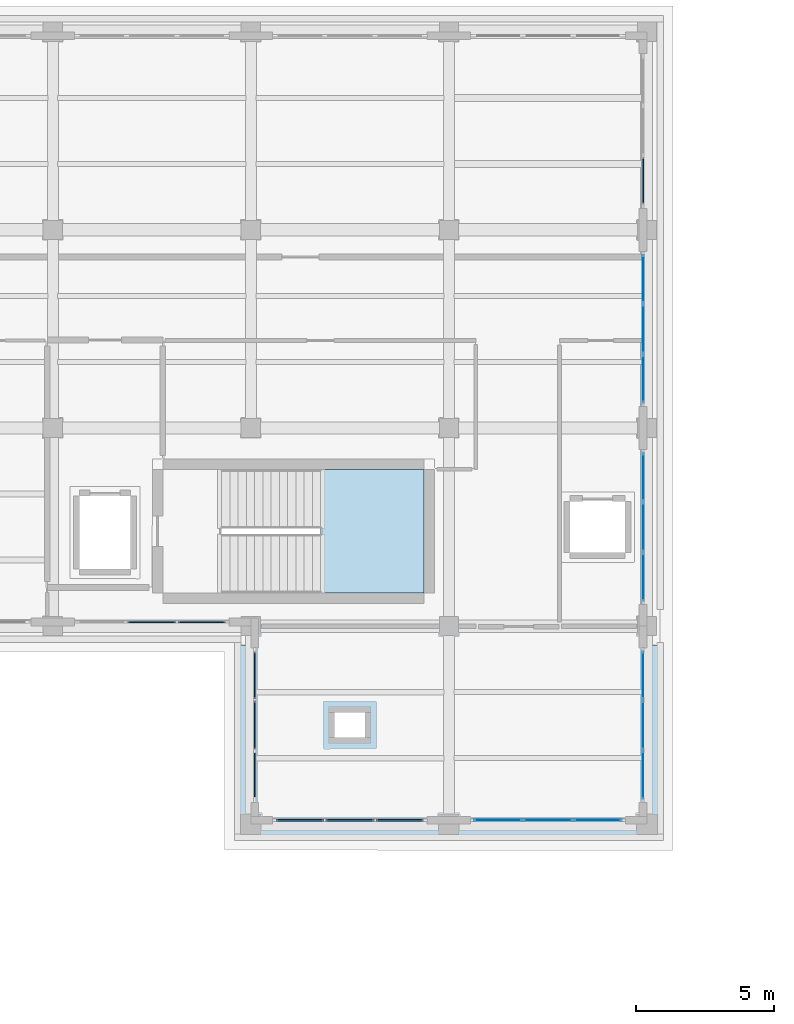
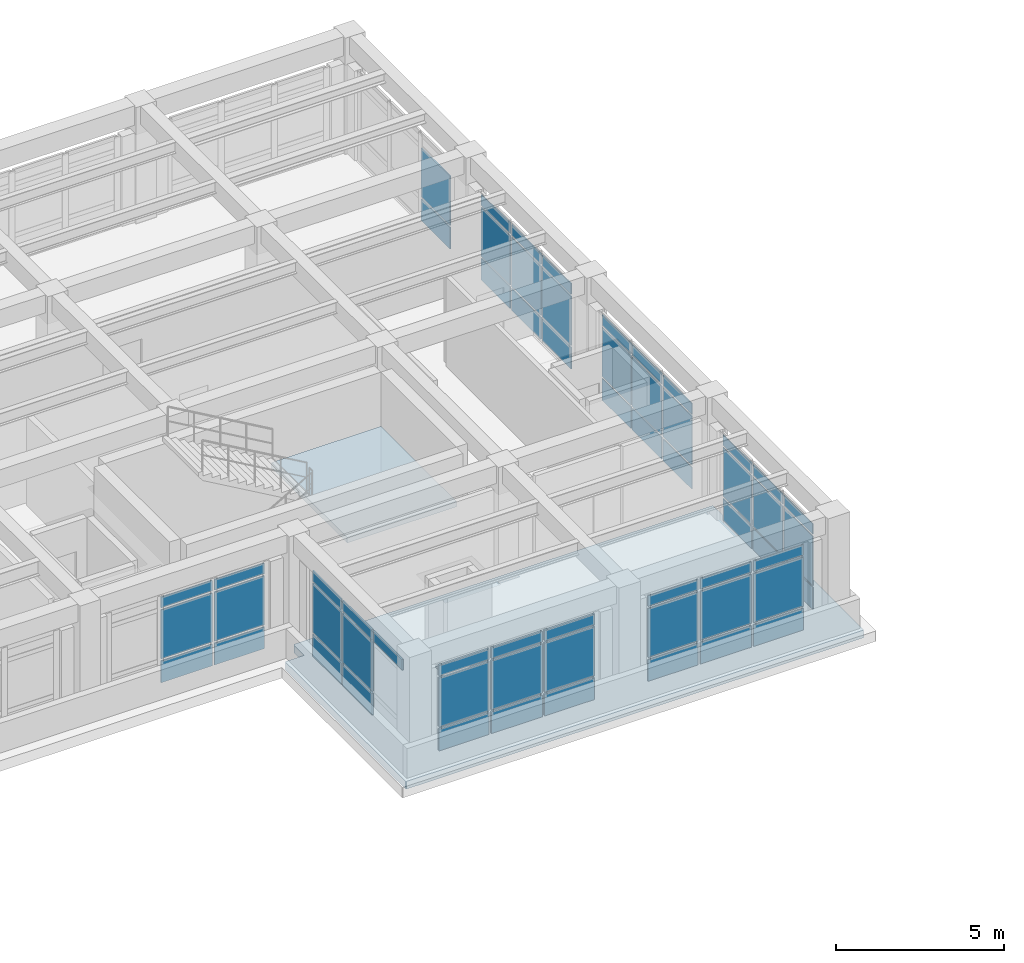
# One storey, part 43 of 64: 60 plates, 2 slabs, 9 elements without a shape of their own.
"""IFC4 building model written with IfcOpenShell, lengths in metres."""

from ifc_helpers import new_model, si_unit, direction, frame, origin, origin_2d, place, context, subcontext, project, spatial, polyline, rectangle, outline, extrude, material, layer, layer_set, type_object, element, aggregate, save


model = new_model("IFC4")

# Units and contexts
model_context = context("Model", 3, precision=1e-05, world=origin(), true_north=direction((0.0, 1.0)))
body_context = subcontext(model_context, "Body", "Model", "MODEL_VIEW")
ifc_project = project(units=[si_unit("LENGTHUNIT", "METRE"), si_unit("AREAUNIT", "SQUARE_METRE"), si_unit("VOLUMEUNIT", "CUBIC_METRE"), si_unit("PLANEANGLEUNIT", "RADIAN"), si_unit("MASSUNIT", "GRAM", prefix="KILO")], contexts=[model_context])

# Site, building, storey
site_placement = place(None, origin())
site = spatial("IfcSite", under=ifc_project, at=site_placement, CompositionType="ELEMENT")
building_placement = place(site_placement, origin())
building = spatial("IfcBuilding", under=site, at=building_placement, Name="Solenvale Faculty of Natural Sciences", CompositionType="ELEMENT")
storey_placement = place(building_placement, frame((0.0, 0.0, 18.0)))
storey = spatial("IfcBuildingStorey", under=building, at=storey_placement, Name="L04", CompositionType="ELEMENT", Elevation=18.0)

# Curtain wall, plates
ifc_material_1 = material(Name="Anodised bronze aluminium", Category="aluminium")
ifc_layer_1 = layer(ifc_material_1, 0.179931640625)
ifc_layer_set_1 = layer_set([ifc_layer_1], Name="Anodised bronze aluminium")
curtain_wall_type = type_object("IfcCurtainWallType", Name="CW-TWR-MOD", PredefinedType="USERDEFINED", material=ifc_layer_set_1)
curtain_wall_1_placement = place(storey_placement, origin())
curtain_wall_1 = element("IfcCurtainWall", 1, at=curtain_wall_1_placement, inside=storey, type_object=curtain_wall_type, Name="L04 Curtain Wall CW-L04-P3-E1-B2", ObjectType="UNITISED CURTAIN WALL", PredefinedType="USERDEFINED")
ifc_material_2 = material(Name="North-light skylight glass", Category="glass")
ifc_layer_2 = layer(ifc_material_2, 0.028076171875)
ifc_layer_set_2 = layer_set([ifc_layer_2], Name="North-light skylight glass")
plate_type_1 = type_object("IfcPlateType", Name="CWP-PNL-28", PredefinedType="CURTAIN_PANEL", material=ifc_layer_set_2)
plate_1_placement = place(storey_placement, frame((145.785400390625, 86.54248046875, 0.074951171875), z_axis=(0.0, 0.0, 1.0), x_axis=(1.0, 0.0, 0.0)))
plate_1 = element("IfcPlate", 2, at=plate_1_placement, type_object=plate_type_1, Name="CW-04 panel 1.1", PredefinedType="CURTAIN_PANEL", context=body_context, shape_type="SweptSolid", body=[
    extrude(rectangle(XDim=1.720947265625, YDim=0.028076171875, at=origin_2d()), origin(), (0.0, 0.0, 1.0), 0.78759765625),
])
plate_2_placement = place(storey_placement, frame((145.785400390625, 86.54248046875, 0.9375), z_axis=(0.0, 0.0, 1.0), x_axis=(1.0, 0.0, 0.0)))
plate_2 = element("IfcPlate", 3, at=plate_2_placement, type_object=plate_type_1, Name="CW-04 panel 1.2", PredefinedType="CURTAIN_PANEL", context=body_context, shape_type="SweptSolid", body=[
    extrude(rectangle(XDim=1.720947265625, YDim=0.028076171875, at=origin_2d()), origin(), (0.0, 0.0, 1.0), 1.784912109375),
])
plate_3_placement = place(storey_placement, frame((145.785400390625, 86.54248046875, 2.79736328125), z_axis=(0.0, 0.0, 1.0), x_axis=(1.0, 0.0, 0.0)))
plate_3 = element("IfcPlate", 4, at=plate_3_placement, type_object=plate_type_1, Name="CW-04 panel 1.3", PredefinedType="CURTAIN_PANEL", context=body_context, shape_type="SweptSolid", body=[
    extrude(rectangle(XDim=1.720947265625, YDim=0.028076171875, at=origin_2d()), origin(), (0.0, 0.0, 1.0), 0.387451171875),
])
plate_4_placement = place(storey_placement, frame((147.60009765625, 86.54248046875, 0.074951171875), z_axis=(0.0, 0.0, 1.0), x_axis=(1.0, 0.0, 0.0)))
plate_4 = element("IfcPlate", 5, at=plate_4_placement, type_object=plate_type_1, Name="CW-04 panel 2.1", PredefinedType="CURTAIN_PANEL", context=body_context, shape_type="SweptSolid", body=[
    extrude(rectangle(XDim=1.75830078125, YDim=0.028076171875, at=origin_2d()), origin(), (0.0, 0.0, 1.0), 0.78759765625),
])
plate_5_placement = place(storey_placement, frame((147.60009765625, 86.54248046875, 0.9375), z_axis=(0.0, 0.0, 1.0), x_axis=(1.0, 0.0, 0.0)))
plate_5 = element("IfcPlate", 6, at=plate_5_placement, type_object=plate_type_1, Name="CW-04 panel 2.2", PredefinedType="CURTAIN_PANEL", context=body_context, shape_type="SweptSolid", body=[
    extrude(rectangle(XDim=1.75830078125, YDim=0.028076171875, at=origin_2d()), origin(), (0.0, 0.0, 1.0), 1.784912109375),
])
plate_6_placement = place(storey_placement, frame((147.60009765625, 86.54248046875, 2.79736328125), z_axis=(0.0, 0.0, 1.0), x_axis=(1.0, 0.0, 0.0)))
plate_6 = element("IfcPlate", 7, at=plate_6_placement, type_object=plate_type_1, Name="CW-04 panel 2.3", PredefinedType="CURTAIN_PANEL", context=body_context, shape_type="SweptSolid", body=[
    extrude(rectangle(XDim=1.75830078125, YDim=0.028076171875, at=origin_2d()), origin(), (0.0, 0.0, 1.0), 0.387451171875),
])
plate_7_placement = place(storey_placement, frame((149.41455078125, 86.54248046875, 0.074951171875), z_axis=(0.0, 0.0, 1.0), x_axis=(1.0, 0.0, 0.0)))
plate_7 = element("IfcPlate", 8, at=plate_7_placement, type_object=plate_type_1, Name="CW-04 panel 3.1", PredefinedType="CURTAIN_PANEL", context=body_context, shape_type="SweptSolid", body=[
    extrude(rectangle(XDim=1.720947265625, YDim=0.028076171875, at=origin_2d()), origin(), (0.0, 0.0, 1.0), 0.78759765625),
])
plate_8_placement = place(storey_placement, frame((149.41455078125, 86.54248046875, 0.9375), z_axis=(0.0, 0.0, 1.0), x_axis=(1.0, 0.0, 0.0)))
plate_8 = element("IfcPlate", 9, at=plate_8_placement, type_object=plate_type_1, Name="CW-04 panel 3.2", PredefinedType="CURTAIN_PANEL", context=body_context, shape_type="SweptSolid", body=[
    extrude(rectangle(XDim=1.720947265625, YDim=0.028076171875, at=origin_2d()), origin(), (0.0, 0.0, 1.0), 1.784912109375),
])
plate_9_placement = place(storey_placement, frame((149.41455078125, 86.54248046875, 2.79736328125), z_axis=(0.0, 0.0, 1.0), x_axis=(1.0, 0.0, 0.0)))
plate_9 = element("IfcPlate", 10, at=plate_9_placement, type_object=plate_type_1, Name="CW-04 panel 3.3", PredefinedType="CURTAIN_PANEL", context=body_context, shape_type="SweptSolid", body=[
    extrude(rectangle(XDim=1.720947265625, YDim=0.028076171875, at=origin_2d()), origin(), (0.0, 0.0, 1.0), 0.387451171875),
])
aggregate(curtain_wall_1, [plate_1, plate_2, plate_3, plate_4, plate_5, plate_6, plate_7, plate_8, plate_9])

curtain_wall_2_placement = place(storey_placement, origin())
curtain_wall_2 = element("IfcCurtainWall", 11, at=curtain_wall_2_placement, inside=storey, type_object=curtain_wall_type, Name="L04 Curtain Wall CW-L04-P3-E2-B1", ObjectType="UNITISED CURTAIN WALL", PredefinedType="USERDEFINED")
plate_10_placement = place(storey_placement, frame((151.0576171875, 88.185302734375, 0.074951171875), z_axis=(0.0, 0.0, 1.0), x_axis=(0.0, 1.0, 0.0)))
plate_10 = element("IfcPlate", 12, at=plate_10_placement, type_object=plate_type_1, Name="CW-04 panel 1.1", PredefinedType="CURTAIN_PANEL", context=body_context, shape_type="SweptSolid", body=[
    extrude(rectangle(XDim=1.720947265625, YDim=0.028076171875, at=origin_2d()), origin(), (0.0, 0.0, 1.0), 0.78759765625),
])
plate_11_placement = place(storey_placement, frame((151.0576171875, 88.185302734375, 0.9375), z_axis=(0.0, 0.0, 1.0), x_axis=(0.0, 1.0, 0.0)))
plate_11 = element("IfcPlate", 13, at=plate_11_placement, type_object=plate_type_1, Name="CW-04 panel 1.2", PredefinedType="CURTAIN_PANEL", context=body_context, shape_type="SweptSolid", body=[
    extrude(rectangle(XDim=1.720947265625, YDim=0.028076171875, at=origin_2d()), origin(), (0.0, 0.0, 1.0), 1.784912109375),
])
plate_12_placement = place(storey_placement, frame((151.0576171875, 88.185302734375, 2.79736328125), z_axis=(0.0, 0.0, 1.0), x_axis=(0.0, 1.0, 0.0)))
plate_12 = element("IfcPlate", 14, at=plate_12_placement, type_object=plate_type_1, Name="CW-04 panel 1.3", PredefinedType="CURTAIN_PANEL", context=body_context, shape_type="SweptSolid", body=[
    extrude(rectangle(XDim=1.720947265625, YDim=0.028076171875, at=origin_2d()), origin(), (0.0, 0.0, 1.0), 0.387451171875),
])
plate_13_placement = place(storey_placement, frame((151.0576171875, 90.0, 0.074951171875), z_axis=(0.0, 0.0, 1.0), x_axis=(0.0, 1.0, 0.0)))
plate_13 = element("IfcPlate", 15, at=plate_13_placement, type_object=plate_type_1, Name="CW-04 panel 2.1", PredefinedType="CURTAIN_PANEL", context=body_context, shape_type="SweptSolid", body=[
    extrude(rectangle(XDim=1.75830078125, YDim=0.028076171875, at=origin_2d()), origin(), (0.0, 0.0, 1.0), 0.78759765625),
])
plate_14_placement = place(storey_placement, frame((151.0576171875, 90.0, 0.9375), z_axis=(0.0, 0.0, 1.0), x_axis=(0.0, 1.0, 0.0)))
plate_14 = element("IfcPlate", 16, at=plate_14_placement, type_object=plate_type_1, Name="CW-04 panel 2.2", PredefinedType="CURTAIN_PANEL", context=body_context, shape_type="SweptSolid", body=[
    extrude(rectangle(XDim=1.75830078125, YDim=0.028076171875, at=origin_2d()), origin(), (0.0, 0.0, 1.0), 1.784912109375),
])
plate_15_placement = place(storey_placement, frame((151.0576171875, 90.0, 2.79736328125), z_axis=(0.0, 0.0, 1.0), x_axis=(0.0, 1.0, 0.0)))
plate_15 = element("IfcPlate", 17, at=plate_15_placement, type_object=plate_type_1, Name="CW-04 panel 2.3", PredefinedType="CURTAIN_PANEL", context=body_context, shape_type="SweptSolid", body=[
    extrude(rectangle(XDim=1.75830078125, YDim=0.028076171875, at=origin_2d()), origin(), (0.0, 0.0, 1.0), 0.387451171875),
])
plate_16_placement = place(storey_placement, frame((151.0576171875, 91.814697265625, 0.074951171875), z_axis=(0.0, 0.0, 1.0), x_axis=(0.0, 1.0, 0.0)))
plate_16 = element("IfcPlate", 18, at=plate_16_placement, type_object=plate_type_1, Name="CW-04 panel 3.1", PredefinedType="CURTAIN_PANEL", context=body_context, shape_type="SweptSolid", body=[
    extrude(rectangle(XDim=1.720947265625, YDim=0.028076171875, at=origin_2d()), origin(), (0.0, 0.0, 1.0), 0.78759765625),
])
plate_17_placement = place(storey_placement, frame((151.0576171875, 91.814697265625, 0.9375), z_axis=(0.0, 0.0, 1.0), x_axis=(0.0, 1.0, 0.0)))
plate_17 = element("IfcPlate", 19, at=plate_17_placement, type_object=plate_type_1, Name="CW-04 panel 3.2", PredefinedType="CURTAIN_PANEL", context=body_context, shape_type="SweptSolid", body=[
    extrude(rectangle(XDim=1.720947265625, YDim=0.028076171875, at=origin_2d()), origin(), (0.0, 0.0, 1.0), 1.784912109375),
])
plate_18_placement = place(storey_placement, frame((151.0576171875, 91.814697265625, 2.79736328125), z_axis=(0.0, 0.0, 1.0), x_axis=(0.0, 1.0, 0.0)))
plate_18 = element("IfcPlate", 20, at=plate_18_placement, type_object=plate_type_1, Name="CW-04 panel 3.3", PredefinedType="CURTAIN_PANEL", context=body_context, shape_type="SweptSolid", body=[
    extrude(rectangle(XDim=1.720947265625, YDim=0.028076171875, at=origin_2d()), origin(), (0.0, 0.0, 1.0), 0.387451171875),
])
aggregate(curtain_wall_2, [plate_10, plate_11, plate_12, plate_13, plate_14, plate_15, plate_16, plate_17, plate_18])

curtain_wall_3_placement = place(storey_placement, origin())
curtain_wall_3 = element("IfcCurtainWall", 21, at=curtain_wall_3_placement, inside=storey, type_object=curtain_wall_type, Name="L04 Curtain Wall CW-L04-P3-E3-B1", ObjectType="UNITISED CURTAIN WALL", PredefinedType="USERDEFINED")
ifc_material_3 = material(Name="Triple low-E insulated glass", Category="glass")
ifc_layer_3 = layer(ifc_material_3, 0.031982421875)
ifc_layer_set_3 = layer_set([ifc_layer_3], Name="Triple low-E insulated glass")
plate_type_2 = type_object("IfcPlateType", Name="CWP-PNL-32", PredefinedType="CURTAIN_PANEL", material=ifc_layer_set_3)
plate_19_placement = place(storey_placement, frame((151.0576171875, 95.385498046875, 0.074951171875), z_axis=(0.0, 0.0, 1.0), x_axis=(0.0, 1.0, 0.0)))
plate_19 = element("IfcPlate", 22, at=plate_19_placement, type_object=plate_type_2, Name="CW-04 panel 1.1", PredefinedType="CURTAIN_PANEL", context=body_context, shape_type="SweptSolid", body=[
    extrude(rectangle(XDim=1.720947265625, YDim=0.031982421875, at=origin_2d()), origin(), (0.0, 0.0, 1.0), 0.78759765625),
])
plate_20_placement = place(storey_placement, frame((151.0576171875, 95.385498046875, 0.9375), z_axis=(0.0, 0.0, 1.0), x_axis=(0.0, 1.0, 0.0)))
plate_20 = element("IfcPlate", 23, at=plate_20_placement, type_object=plate_type_2, Name="CW-04 panel 1.2", PredefinedType="CURTAIN_PANEL", context=body_context, shape_type="SweptSolid", body=[
    extrude(rectangle(XDim=1.720947265625, YDim=0.031982421875, at=origin_2d()), origin(), (0.0, 0.0, 1.0), 1.784912109375),
])
plate_21_placement = place(storey_placement, frame((151.0576171875, 95.385498046875, 2.79736328125), z_axis=(0.0, 0.0, 1.0), x_axis=(0.0, 1.0, 0.0)))
plate_21 = element("IfcPlate", 24, at=plate_21_placement, type_object=plate_type_2, Name="CW-04 panel 1.3", PredefinedType="CURTAIN_PANEL", context=body_context, shape_type="SweptSolid", body=[
    extrude(rectangle(XDim=1.720947265625, YDim=0.031982421875, at=origin_2d()), origin(), (0.0, 0.0, 1.0), 0.387451171875),
])
plate_22_placement = place(storey_placement, frame((151.0576171875, 97.199951171875, 0.074951171875), z_axis=(0.0, 0.0, 1.0), x_axis=(0.0, 1.0, 0.0)))
plate_22 = element("IfcPlate", 25, at=plate_22_placement, type_object=plate_type_2, Name="CW-04 panel 2.1", PredefinedType="CURTAIN_PANEL", context=body_context, shape_type="SweptSolid", body=[
    extrude(rectangle(XDim=1.75830078125, YDim=0.031982421875, at=origin_2d()), origin(), (0.0, 0.0, 1.0), 0.78759765625),
])
plate_23_placement = place(storey_placement, frame((151.0576171875, 97.199951171875, 0.9375), z_axis=(0.0, 0.0, 1.0), x_axis=(0.0, 1.0, 0.0)))
plate_23 = element("IfcPlate", 26, at=plate_23_placement, type_object=plate_type_2, Name="CW-04 panel 2.2", PredefinedType="CURTAIN_PANEL", context=body_context, shape_type="SweptSolid", body=[
    extrude(rectangle(XDim=1.75830078125, YDim=0.031982421875, at=origin_2d()), origin(), (0.0, 0.0, 1.0), 1.784912109375),
])
plate_24_placement = place(storey_placement, frame((151.0576171875, 97.199951171875, 2.79736328125), z_axis=(0.0, 0.0, 1.0), x_axis=(0.0, 1.0, 0.0)))
plate_24 = element("IfcPlate", 27, at=plate_24_placement, type_object=plate_type_2, Name="CW-04 panel 2.3", PredefinedType="CURTAIN_PANEL", context=body_context, shape_type="SweptSolid", body=[
    extrude(rectangle(XDim=1.75830078125, YDim=0.031982421875, at=origin_2d()), origin(), (0.0, 0.0, 1.0), 0.387451171875),
])
plate_25_placement = place(storey_placement, frame((151.0576171875, 99.0146484375, 0.074951171875), z_axis=(0.0, 0.0, 1.0), x_axis=(0.0, 1.0, 0.0)))
plate_25 = element("IfcPlate", 28, at=plate_25_placement, type_object=plate_type_2, Name="CW-04 panel 3.1", PredefinedType="CURTAIN_PANEL", context=body_context, shape_type="SweptSolid", body=[
    extrude(rectangle(XDim=1.720947265625, YDim=0.031982421875, at=origin_2d()), origin(), (0.0, 0.0, 1.0), 0.78759765625),
])
plate_26_placement = place(storey_placement, frame((151.0576171875, 99.0146484375, 0.9375), z_axis=(0.0, 0.0, 1.0), x_axis=(0.0, 1.0, 0.0)))
plate_26 = element("IfcPlate", 29, at=plate_26_placement, type_object=plate_type_2, Name="CW-04 panel 3.2", PredefinedType="CURTAIN_PANEL", context=body_context, shape_type="SweptSolid", body=[
    extrude(rectangle(XDim=1.720947265625, YDim=0.031982421875, at=origin_2d()), origin(), (0.0, 0.0, 1.0), 1.784912109375),
])
plate_27_placement = place(storey_placement, frame((151.0576171875, 99.0146484375, 2.79736328125), z_axis=(0.0, 0.0, 1.0), x_axis=(0.0, 1.0, 0.0)))
plate_27 = element("IfcPlate", 30, at=plate_27_placement, type_object=plate_type_2, Name="CW-04 panel 3.3", PredefinedType="CURTAIN_PANEL", context=body_context, shape_type="SweptSolid", body=[
    extrude(rectangle(XDim=1.720947265625, YDim=0.031982421875, at=origin_2d()), origin(), (0.0, 0.0, 1.0), 0.387451171875),
])
aggregate(curtain_wall_3, [plate_19, plate_20, plate_21, plate_22, plate_23, plate_24, plate_25, plate_26, plate_27])

curtain_wall_4_placement = place(storey_placement, origin())
curtain_wall_4 = element("IfcCurtainWall", 31, at=curtain_wall_4_placement, inside=storey, type_object=curtain_wall_type, Name="L04 Curtain Wall CW-L04-P3-E3-B2", ObjectType="UNITISED CURTAIN WALL", PredefinedType="USERDEFINED")
ifc_layer_4 = layer(ifc_material_3, 0.035888671875)
ifc_layer_set_4 = layer_set([ifc_layer_4], Name="Triple low-E insulated glass")
plate_type_3 = type_object("IfcPlateType", Name="CWP-PNL-36", PredefinedType="CURTAIN_PANEL", material=ifc_layer_set_4)
plate_28_placement = place(storey_placement, frame((151.0576171875, 102.58544921875, 0.074951171875), z_axis=(0.0, 0.0, 1.0), x_axis=(0.0, 1.0, 0.0)))
plate_28 = element("IfcPlate", 32, at=plate_28_placement, type_object=plate_type_3, Name="CW-04 panel 1.1", PredefinedType="CURTAIN_PANEL", context=body_context, shape_type="SweptSolid", body=[
    extrude(rectangle(XDim=1.720947265625, YDim=0.035888671875, at=origin_2d()), origin(), (0.0, 0.0, 1.0), 0.78759765625),
])
plate_29_placement = place(storey_placement, frame((151.0576171875, 102.58544921875, 0.9375), z_axis=(0.0, 0.0, 1.0), x_axis=(0.0, 1.0, 0.0)))
plate_29 = element("IfcPlate", 33, at=plate_29_placement, type_object=plate_type_3, Name="CW-04 panel 1.2", PredefinedType="CURTAIN_PANEL", context=body_context, shape_type="SweptSolid", body=[
    extrude(rectangle(XDim=1.720947265625, YDim=0.035888671875, at=origin_2d()), origin(), (0.0, 0.0, 1.0), 1.784912109375),
])
plate_30_placement = place(storey_placement, frame((151.0576171875, 102.58544921875, 2.79736328125), z_axis=(0.0, 0.0, 1.0), x_axis=(0.0, 1.0, 0.0)))
plate_30 = element("IfcPlate", 34, at=plate_30_placement, type_object=plate_type_3, Name="CW-04 panel 1.3", PredefinedType="CURTAIN_PANEL", context=body_context, shape_type="SweptSolid", body=[
    extrude(rectangle(XDim=1.720947265625, YDim=0.035888671875, at=origin_2d()), origin(), (0.0, 0.0, 1.0), 0.387451171875),
])
plate_31_placement = place(storey_placement, frame((151.0576171875, 104.39990234375, 0.074951171875), z_axis=(0.0, 0.0, 1.0), x_axis=(0.0, 1.0, 0.0)))
plate_31 = element("IfcPlate", 35, at=plate_31_placement, type_object=plate_type_3, Name="CW-04 panel 2.1", PredefinedType="CURTAIN_PANEL", context=body_context, shape_type="SweptSolid", body=[
    extrude(rectangle(XDim=1.75830078125, YDim=0.035888671875, at=origin_2d()), origin(), (0.0, 0.0, 1.0), 0.78759765625),
])
plate_32_placement = place(storey_placement, frame((151.0576171875, 104.39990234375, 0.9375), z_axis=(0.0, 0.0, 1.0), x_axis=(0.0, 1.0, 0.0)))
plate_32 = element("IfcPlate", 36, at=plate_32_placement, type_object=plate_type_3, Name="CW-04 panel 2.2", PredefinedType="CURTAIN_PANEL", context=body_context, shape_type="SweptSolid", body=[
    extrude(rectangle(XDim=1.75830078125, YDim=0.035888671875, at=origin_2d()), origin(), (0.0, 0.0, 1.0), 1.784912109375),
])
plate_33_placement = place(storey_placement, frame((151.0576171875, 104.39990234375, 2.79736328125), z_axis=(0.0, 0.0, 1.0), x_axis=(0.0, 1.0, 0.0)))
plate_33 = element("IfcPlate", 37, at=plate_33_placement, type_object=plate_type_3, Name="CW-04 panel 2.3", PredefinedType="CURTAIN_PANEL", context=body_context, shape_type="SweptSolid", body=[
    extrude(rectangle(XDim=1.75830078125, YDim=0.035888671875, at=origin_2d()), origin(), (0.0, 0.0, 1.0), 0.387451171875),
])
plate_34_placement = place(storey_placement, frame((151.0576171875, 106.214599609375, 0.074951171875), z_axis=(0.0, 0.0, 1.0), x_axis=(0.0, 1.0, 0.0)))
plate_34 = element("IfcPlate", 38, at=plate_34_placement, type_object=plate_type_3, Name="CW-04 panel 3.1", PredefinedType="CURTAIN_PANEL", context=body_context, shape_type="SweptSolid", body=[
    extrude(rectangle(XDim=1.720947265625, YDim=0.035888671875, at=origin_2d()), origin(), (0.0, 0.0, 1.0), 0.78759765625),
])
plate_35_placement = place(storey_placement, frame((151.0576171875, 106.214599609375, 0.9375), z_axis=(0.0, 0.0, 1.0), x_axis=(0.0, 1.0, 0.0)))
plate_35 = element("IfcPlate", 39, at=plate_35_placement, type_object=plate_type_3, Name="CW-04 panel 3.2", PredefinedType="CURTAIN_PANEL", context=body_context, shape_type="SweptSolid", body=[
    extrude(rectangle(XDim=1.720947265625, YDim=0.035888671875, at=origin_2d()), origin(), (0.0, 0.0, 1.0), 1.784912109375),
])
plate_36_placement = place(storey_placement, frame((151.0576171875, 106.214599609375, 2.79736328125), z_axis=(0.0, 0.0, 1.0), x_axis=(0.0, 1.0, 0.0)))
plate_36 = element("IfcPlate", 40, at=plate_36_placement, type_object=plate_type_3, Name="CW-04 panel 3.3", PredefinedType="CURTAIN_PANEL", context=body_context, shape_type="SweptSolid", body=[
    extrude(rectangle(XDim=1.720947265625, YDim=0.035888671875, at=origin_2d()), origin(), (0.0, 0.0, 1.0), 0.387451171875),
])
aggregate(curtain_wall_4, [plate_28, plate_29, plate_30, plate_31, plate_32, plate_33, plate_34, plate_35, plate_36])

curtain_wall_5_placement = place(storey_placement, origin())
curtain_wall_5 = element("IfcCurtainWall", 41, at=curtain_wall_5_placement, inside=storey, type_object=curtain_wall_type, Name="L04 Curtain Wall CW-L04-P3-E3-B3", ObjectType="UNITISED CURTAIN WALL", PredefinedType="USERDEFINED")
ifc_layer_5 = layer(ifc_material_3, 0.0400390625)
ifc_layer_set_5 = layer_set([ifc_layer_5], Name="Triple low-E insulated glass")
plate_type_4 = type_object("IfcPlateType", Name="CWP-PNL-40", PredefinedType="CURTAIN_PANEL", material=ifc_layer_set_5)
plate_37_placement = place(storey_placement, frame((151.0576171875, 109.785400390625, 0.074951171875), z_axis=(0.0, 0.0, 1.0), x_axis=(0.0, 1.0, 0.0)))
plate_37 = element("IfcPlate", 42, at=plate_37_placement, type_object=plate_type_4, Name="CW-04 panel 1.1", PredefinedType="CURTAIN_PANEL", context=body_context, shape_type="SweptSolid", body=[
    extrude(rectangle(XDim=1.720947265625, YDim=0.0400390625, at=origin_2d()), origin(), (0.0, 0.0, 1.0), 0.78759765625),
])
plate_38_placement = place(storey_placement, frame((151.0576171875, 109.785400390625, 0.9375), z_axis=(0.0, 0.0, 1.0), x_axis=(0.0, 1.0, 0.0)))
plate_38 = element("IfcPlate", 43, at=plate_38_placement, type_object=plate_type_4, Name="CW-04 panel 1.2", PredefinedType="CURTAIN_PANEL", context=body_context, shape_type="SweptSolid", body=[
    extrude(rectangle(XDim=1.720947265625, YDim=0.0400390625, at=origin_2d()), origin(), (0.0, 0.0, 1.0), 1.784912109375),
])
aggregate(curtain_wall_5, [plate_37, plate_38])

curtain_wall_6_placement = place(storey_placement, origin())
curtain_wall_6 = element("IfcCurtainWall", 44, at=curtain_wall_6_placement, inside=storey, type_object=curtain_wall_type, Name="L04 Curtain Wall CW-L04-P3-E6-B8", ObjectType="UNITISED CURTAIN WALL", PredefinedType="USERDEFINED")
plate_39_placement = place(storey_placement, frame((133.199951171875, 93.742431640625, 0.074951171875), z_axis=(0.0, 0.0, 1.0), x_axis=(1.0, 0.0, 0.0)))
plate_39 = element("IfcPlate", 45, at=plate_39_placement, type_object=plate_type_4, Name="CW-04 panel 2.1", PredefinedType="CURTAIN_PANEL", context=body_context, shape_type="SweptSolid", body=[
    extrude(rectangle(XDim=1.75830078125, YDim=0.0400390625, at=origin_2d()), origin(), (0.0, 0.0, 1.0), 0.78759765625),
])
plate_40_placement = place(storey_placement, frame((133.199951171875, 93.742431640625, 0.9375), z_axis=(0.0, 0.0, 1.0), x_axis=(1.0, 0.0, 0.0)))
plate_40 = element("IfcPlate", 46, at=plate_40_placement, type_object=plate_type_4, Name="CW-04 panel 2.2", PredefinedType="CURTAIN_PANEL", context=body_context, shape_type="SweptSolid", body=[
    extrude(rectangle(XDim=1.75830078125, YDim=0.0400390625, at=origin_2d()), origin(), (0.0, 0.0, 1.0), 1.784912109375),
])
plate_41_placement = place(storey_placement, frame((133.199951171875, 93.742431640625, 2.79736328125), z_axis=(0.0, 0.0, 1.0), x_axis=(1.0, 0.0, 0.0)))
plate_41 = element("IfcPlate", 47, at=plate_41_placement, type_object=plate_type_4, Name="CW-04 panel 2.3", PredefinedType="CURTAIN_PANEL", context=body_context, shape_type="SweptSolid", body=[
    extrude(rectangle(XDim=1.75830078125, YDim=0.0400390625, at=origin_2d()), origin(), (0.0, 0.0, 1.0), 0.387451171875),
])
plate_42_placement = place(storey_placement, frame((135.0146484375, 93.742431640625, 0.074951171875), z_axis=(0.0, 0.0, 1.0), x_axis=(1.0, 0.0, 0.0)))
plate_42 = element("IfcPlate", 48, at=plate_42_placement, type_object=plate_type_4, Name="CW-04 panel 3.1", PredefinedType="CURTAIN_PANEL", context=body_context, shape_type="SweptSolid", body=[
    extrude(rectangle(XDim=1.720947265625, YDim=0.0400390625, at=origin_2d()), origin(), (0.0, 0.0, 1.0), 0.78759765625),
])
plate_43_placement = place(storey_placement, frame((135.0146484375, 93.742431640625, 0.9375), z_axis=(0.0, 0.0, 1.0), x_axis=(1.0, 0.0, 0.0)))
plate_43 = element("IfcPlate", 49, at=plate_43_placement, type_object=plate_type_4, Name="CW-04 panel 3.2", PredefinedType="CURTAIN_PANEL", context=body_context, shape_type="SweptSolid", body=[
    extrude(rectangle(XDim=1.720947265625, YDim=0.0400390625, at=origin_2d()), origin(), (0.0, 0.0, 1.0), 1.784912109375),
])
plate_44_placement = place(storey_placement, frame((135.0146484375, 93.742431640625, 2.79736328125), z_axis=(0.0, 0.0, 1.0), x_axis=(1.0, 0.0, 0.0)))
plate_44 = element("IfcPlate", 50, at=plate_44_placement, type_object=plate_type_4, Name="CW-04 panel 3.3", PredefinedType="CURTAIN_PANEL", context=body_context, shape_type="SweptSolid", body=[
    extrude(rectangle(XDim=1.720947265625, YDim=0.0400390625, at=origin_2d()), origin(), (0.0, 0.0, 1.0), 0.387451171875),
])
aggregate(curtain_wall_6, [plate_39, plate_40, plate_41, plate_42, plate_43, plate_44])

curtain_wall_7_placement = place(storey_placement, origin())
curtain_wall_7 = element("IfcCurtainWall", 51, at=curtain_wall_7_placement, inside=storey, type_object=curtain_wall_type, Name="L04 Curtain Wall CW-L04-P3-E7-B1", ObjectType="UNITISED CURTAIN WALL", PredefinedType="USERDEFINED")
ifc_layer_6 = layer(ifc_material_1, 0.048095703125)
ifc_layer_set_6 = layer_set([ifc_layer_6], Name="Anodised bronze aluminium")
plate_type_5 = type_object("IfcPlateType", Name="CWP-PNL-48", PredefinedType="CURTAIN_PANEL", material=ifc_layer_set_6)
plate_45_placement = place(storey_placement, frame((136.9423828125, 91.814697265625, 0.074951171875), z_axis=(0.0, 0.0, 1.0), x_axis=(0.0, -1.0, 0.0)))
plate_45 = element("IfcPlate", 52, at=plate_45_placement, type_object=plate_type_5, Name="CW-04 panel 1.1", PredefinedType="CURTAIN_PANEL", context=body_context, shape_type="SweptSolid", body=[
    extrude(rectangle(XDim=1.720947265625, YDim=0.048095703125, at=origin_2d()), origin(), (0.0, 0.0, 1.0), 0.78759765625),
])
plate_46_placement = place(storey_placement, frame((136.9423828125, 91.814697265625, 0.9375), z_axis=(0.0, 0.0, 1.0), x_axis=(0.0, -1.0, 0.0)))
plate_46 = element("IfcPlate", 53, at=plate_46_placement, type_object=plate_type_5, Name="CW-04 panel 1.2", PredefinedType="CURTAIN_PANEL", context=body_context, shape_type="SweptSolid", body=[
    extrude(rectangle(XDim=1.720947265625, YDim=0.048095703125, at=origin_2d()), origin(), (0.0, 0.0, 1.0), 1.784912109375),
])
plate_47_placement = place(storey_placement, frame((136.9423828125, 91.814697265625, 2.79736328125), z_axis=(0.0, 0.0, 1.0), x_axis=(0.0, -1.0, 0.0)))
plate_47 = element("IfcPlate", 54, at=plate_47_placement, type_object=plate_type_5, Name="CW-04 panel 1.3", PredefinedType="CURTAIN_PANEL", context=body_context, shape_type="SweptSolid", body=[
    extrude(rectangle(XDim=1.720947265625, YDim=0.048095703125, at=origin_2d()), origin(), (0.0, 0.0, 1.0), 0.387451171875),
])
plate_48_placement = place(storey_placement, frame((136.9423828125, 90.0, 0.074951171875), z_axis=(0.0, 0.0, 1.0), x_axis=(0.0, -1.0, 0.0)))
plate_48 = element("IfcPlate", 55, at=plate_48_placement, type_object=plate_type_5, Name="CW-04 panel 2.1", PredefinedType="CURTAIN_PANEL", context=body_context, shape_type="SweptSolid", body=[
    extrude(rectangle(XDim=1.75830078125, YDim=0.048095703125, at=origin_2d()), origin(), (0.0, 0.0, 1.0), 0.78759765625),
])
plate_49_placement = place(storey_placement, frame((136.9423828125, 90.0, 0.9375), z_axis=(0.0, 0.0, 1.0), x_axis=(0.0, -1.0, 0.0)))
plate_49 = element("IfcPlate", 56, at=plate_49_placement, type_object=plate_type_5, Name="CW-04 panel 2.2", PredefinedType="CURTAIN_PANEL", context=body_context, shape_type="SweptSolid", body=[
    extrude(rectangle(XDim=1.75830078125, YDim=0.048095703125, at=origin_2d()), origin(), (0.0, 0.0, 1.0), 1.784912109375),
])
plate_50_placement = place(storey_placement, frame((136.9423828125, 90.0, 2.79736328125), z_axis=(0.0, 0.0, 1.0), x_axis=(0.0, -1.0, 0.0)))
plate_50 = element("IfcPlate", 57, at=plate_50_placement, type_object=plate_type_5, Name="CW-04 panel 2.3", PredefinedType="CURTAIN_PANEL", context=body_context, shape_type="SweptSolid", body=[
    extrude(rectangle(XDim=1.75830078125, YDim=0.048095703125, at=origin_2d()), origin(), (0.0, 0.0, 1.0), 0.387451171875),
])
plate_51_placement = place(storey_placement, frame((136.9423828125, 88.185302734375, 2.79736328125), z_axis=(0.0, 0.0, 1.0), x_axis=(0.0, -1.0, 0.0)))
plate_51 = element("IfcPlate", 58, at=plate_51_placement, type_object=plate_type_5, Name="CW-04 panel 3.3", PredefinedType="CURTAIN_PANEL", context=body_context, shape_type="SweptSolid", body=[
    extrude(rectangle(XDim=1.720947265625, YDim=0.048095703125, at=origin_2d()), origin(), (0.0, 0.0, 1.0), 0.387451171875),
])
aggregate(curtain_wall_7, [plate_45, plate_46, plate_47, plate_48, plate_49, plate_50, plate_51])

curtain_wall_8_placement = place(storey_placement, origin())
curtain_wall_8 = element("IfcCurtainWall", 59, at=curtain_wall_8_placement, inside=storey, type_object=curtain_wall_type, Name="L04 Curtain Wall CW-L04-P3-E1-B1", ObjectType="UNITISED CURTAIN WALL", PredefinedType="USERDEFINED")
ifc_layer_7 = layer(ifc_material_1, 0.06005859375)
ifc_layer_set_7 = layer_set([ifc_layer_7], Name="Anodised bronze aluminium")
plate_type_6 = type_object("IfcPlateType", Name="CWP-PNL-60", PredefinedType="CURTAIN_PANEL", material=ifc_layer_set_7)
plate_52_placement = place(storey_placement, frame((138.58544921875, 86.54248046875, 0.074951171875), z_axis=(0.0, 0.0, 1.0), x_axis=(1.0, 0.0, 0.0)))
plate_52 = element("IfcPlate", 60, at=plate_52_placement, type_object=plate_type_6, Name="CW-04 panel 1.1", PredefinedType="CURTAIN_PANEL", context=body_context, shape_type="SweptSolid", body=[
    extrude(rectangle(XDim=1.720947265625, YDim=0.06005859375, at=origin_2d()), origin(), (0.0, 0.0, 1.0), 0.78759765625),
])
plate_53_placement = place(storey_placement, frame((138.58544921875, 86.54248046875, 0.9375), z_axis=(0.0, 0.0, 1.0), x_axis=(1.0, 0.0, 0.0)))
plate_53 = element("IfcPlate", 61, at=plate_53_placement, type_object=plate_type_6, Name="CW-04 panel 1.2", PredefinedType="CURTAIN_PANEL", context=body_context, shape_type="SweptSolid", body=[
    extrude(rectangle(XDim=1.720947265625, YDim=0.06005859375, at=origin_2d()), origin(), (0.0, 0.0, 1.0), 1.784912109375),
])
plate_54_placement = place(storey_placement, frame((138.58544921875, 86.54248046875, 2.79736328125), z_axis=(0.0, 0.0, 1.0), x_axis=(1.0, 0.0, 0.0)))
plate_54 = element("IfcPlate", 62, at=plate_54_placement, type_object=plate_type_6, Name="CW-04 panel 1.3", PredefinedType="CURTAIN_PANEL", context=body_context, shape_type="SweptSolid", body=[
    extrude(rectangle(XDim=1.720947265625, YDim=0.06005859375, at=origin_2d()), origin(), (0.0, 0.0, 1.0), 0.387451171875),
])
plate_55_placement = place(storey_placement, frame((140.39990234375, 86.54248046875, 0.074951171875), z_axis=(0.0, 0.0, 1.0), x_axis=(1.0, 0.0, 0.0)))
plate_55 = element("IfcPlate", 63, at=plate_55_placement, type_object=plate_type_6, Name="CW-04 panel 2.1", PredefinedType="CURTAIN_PANEL", context=body_context, shape_type="SweptSolid", body=[
    extrude(rectangle(XDim=1.75830078125, YDim=0.06005859375, at=origin_2d()), origin(), (0.0, 0.0, 1.0), 0.78759765625),
])
plate_56_placement = place(storey_placement, frame((140.39990234375, 86.54248046875, 0.9375), z_axis=(0.0, 0.0, 1.0), x_axis=(1.0, 0.0, 0.0)))
plate_56 = element("IfcPlate", 64, at=plate_56_placement, type_object=plate_type_6, Name="CW-04 panel 2.2", PredefinedType="CURTAIN_PANEL", context=body_context, shape_type="SweptSolid", body=[
    extrude(rectangle(XDim=1.75830078125, YDim=0.06005859375, at=origin_2d()), origin(), (0.0, 0.0, 1.0), 1.784912109375),
])
plate_57_placement = place(storey_placement, frame((140.39990234375, 86.54248046875, 2.79736328125), z_axis=(0.0, 0.0, 1.0), x_axis=(1.0, 0.0, 0.0)))
plate_57 = element("IfcPlate", 65, at=plate_57_placement, type_object=plate_type_6, Name="CW-04 panel 2.3", PredefinedType="CURTAIN_PANEL", context=body_context, shape_type="SweptSolid", body=[
    extrude(rectangle(XDim=1.75830078125, YDim=0.06005859375, at=origin_2d()), origin(), (0.0, 0.0, 1.0), 0.387451171875),
])
plate_58_placement = place(storey_placement, frame((142.214599609375, 86.54248046875, 0.074951171875), z_axis=(0.0, 0.0, 1.0), x_axis=(1.0, 0.0, 0.0)))
plate_58 = element("IfcPlate", 66, at=plate_58_placement, type_object=plate_type_6, Name="CW-04 panel 3.1", PredefinedType="CURTAIN_PANEL", context=body_context, shape_type="SweptSolid", body=[
    extrude(rectangle(XDim=1.720947265625, YDim=0.06005859375, at=origin_2d()), origin(), (0.0, 0.0, 1.0), 0.78759765625),
])
plate_59_placement = place(storey_placement, frame((142.214599609375, 86.54248046875, 0.9375), z_axis=(0.0, 0.0, 1.0), x_axis=(1.0, 0.0, 0.0)))
plate_59 = element("IfcPlate", 67, at=plate_59_placement, type_object=plate_type_6, Name="CW-04 panel 3.2", PredefinedType="CURTAIN_PANEL", context=body_context, shape_type="SweptSolid", body=[
    extrude(rectangle(XDim=1.720947265625, YDim=0.06005859375, at=origin_2d()), origin(), (0.0, 0.0, 1.0), 1.784912109375),
])
plate_60_placement = place(storey_placement, frame((142.214599609375, 86.54248046875, 2.79736328125), z_axis=(0.0, 0.0, 1.0), x_axis=(1.0, 0.0, 0.0)))
plate_60 = element("IfcPlate", 68, at=plate_60_placement, type_object=plate_type_6, Name="CW-04 panel 3.3", PredefinedType="CURTAIN_PANEL", context=body_context, shape_type="SweptSolid", body=[
    extrude(rectangle(XDim=1.720947265625, YDim=0.06005859375, at=origin_2d()), origin(), (0.0, 0.0, 1.0), 0.387451171875),
])
aggregate(curtain_wall_8, [plate_52, plate_53, plate_54, plate_55, plate_56, plate_57, plate_58, plate_59, plate_60])

# Slab
ifc_material_4 = material(Name="Concrete 40 MPa", Category="concrete")
ifc_layer_8 = layer(ifc_material_4, 0.280029296875)
ifc_layer_set_8 = layer_set([ifc_layer_8], Name="Concrete 40 MPa")
slab_type_1 = type_object("IfcSlabType", Name="SL-FLR-280", PredefinedType="FLOOR", material=ifc_layer_set_8)
slab_1_placement = place(storey_placement, frame((0.0, 0.0, -0.280029296875)))
element("IfcSlab", 69, at=slab_1_placement, inside=storey, type_object=slab_type_1, Name="L04 V5E Floor Slab 1.1", PredefinedType="FLOOR", context=body_context, shape_type="SweptSolid", body=[
    extrude(outline(polyline([(136.14501953125, 85.719970703125), (136.127197265625, 85.727294921875), (136.1201171875, 85.7451171875), (136.1201171875, 92.8974609375), (136.129150390625, 92.914306640625), (136.14501953125, 92.919921875), (136.780029296875, 92.919921875), (136.780029296875, 93.544921875), (136.79541015625, 93.568115234375), (151.195068359375, 93.570068359375), (151.212646484375, 93.562744140625), (151.219970703125, 93.544921875), (151.219970703125, 92.919921875), (151.85498046875, 92.919921875), (151.878173828125, 92.904541015625), (151.8798828125, 85.7451171875), (151.864501953125, 85.721923828125), (136.14501953125, 85.719970703125)]), holes=[polyline([(139.85009765625, 89.550048828125), (140.949951171875, 89.550048828125), (140.949951171875, 90.449951171875), (139.85009765625, 90.449951171875), (139.85009765625, 89.550048828125)])]), origin(), (0.0, 0.0, 1.0), 0.280029296875),
])

# Stair, slab
stair_type = type_object("IfcStairType", Name="STR-CORE-25R", PredefinedType="DOUBLE_RETURN_STAIR", material=ifc_material_4)
stair_placement = place(storey_placement, origin())
stair = element("IfcStair", 70, at=stair_placement, inside=storey, type_object=stair_type, Name="L04 Protected Exit Stair ST-05", PredefinedType="DOUBLE_RETURN_STAIR")
ifc_layer_9 = layer(ifc_material_4, 0.195068359375)
ifc_layer_set_9 = layer_set([ifc_layer_9], Name="Concrete 40 MPa")
slab_type_2 = type_object("IfcSlabType", Name="SL-LND-195", PredefinedType="LANDING", material=ifc_layer_set_9)
slab_2_placement = place(storey_placement, frame((0.0, 0.0, 2.050048828125)))
slab_2 = element("IfcSlab", 71, at=slab_2_placement, type_object=slab_type_2, Name="ST-05 landing 1", PredefinedType="LANDING", context=body_context, shape_type="SweptSolid", body=[
    extrude(outline(polyline([(139.340087890625, 94.800048828125), (143.10009765625, 94.800048828125), (143.10009765625, 99.300048828125), (139.340087890625, 99.300048828125), (139.340087890625, 94.800048828125)])), origin(), (0.0, 0.0, 1.0), 0.199951171875),
])
aggregate(stair, [slab_2])

save(model, "model.ifc")
